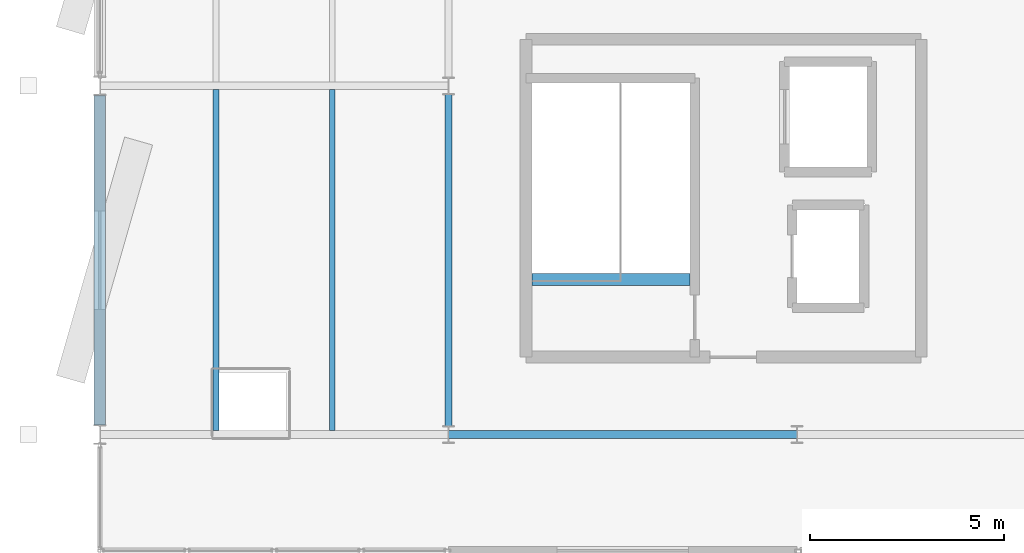
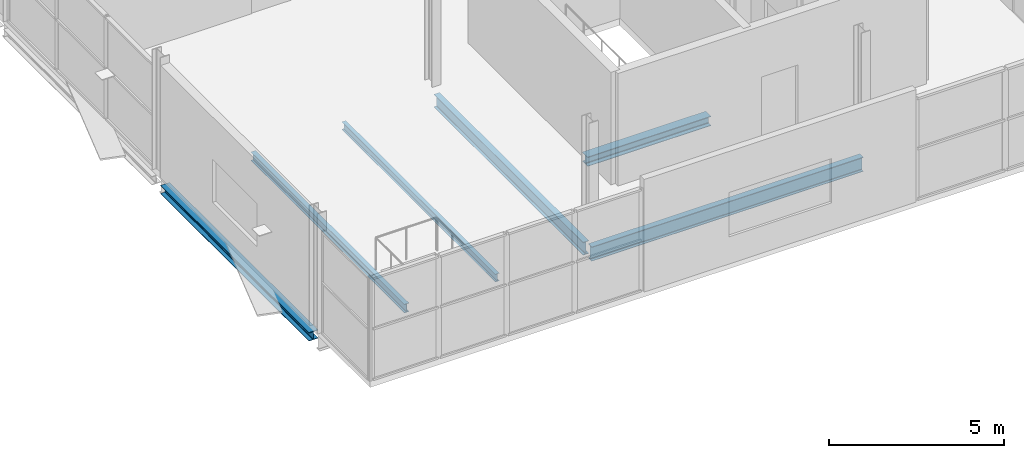
# One storey, part 45 of 132: 6 beams.
"""IFC4 building model written with IfcOpenShell, lengths in metres."""

import ifcopenshell
import ifcopenshell.guid

model = None  # the IFC model being written
_history = None  # IfcOwnerHistory: only IFC2X3 demands one
_inside = {}  # id of a spatial element -> (the spatial element, [elements in it])
_under = {}  # id of a project, library or spatial element -> (it, [spatial elements below it])
_declared = {}  # id of a project -> (the project, [libraries it declares])
_typed = {}  # id of a type object -> (the type object, [elements of that type])
_made_of = {}  # id of a material, layer set ... -> (it, [elements and type objects made of it])


def new_model(schema):
    """Start an empty IFC model of exactly this schema.

    Asked for "IFC4X3", IfcOpenShell would pick the latest addendum, in which some entities
    have other attributes; the version numbers below select the first issue.
    IFC2X3 requires an IfcOwnerHistory on every rooted entity: one is made here for all.
    """
    global model, _history
    if schema == "IFC4X3":
        model = ifcopenshell.file(schema_version=(4, 3, 0, 0))
    else:
        model = ifcopenshell.file(schema=schema)
    _inside.clear()
    _under.clear()
    _declared.clear()
    _typed.clear()
    _made_of.clear()
    _history = None
    if model.schema == "IFC2X3":
        org = make("IfcOrganization", Name="unknown")
        user = make(
            "IfcPersonAndOrganization",
            ThePerson=make("IfcPerson", FamilyName="unknown"),
            TheOrganization=org,
        )
        app = make(
            "IfcApplication",
            ApplicationDeveloper=org,
            Version="unknown",
            ApplicationFullName="unknown",
            ApplicationIdentifier="unknown",
        )
        _history = make(
            "IfcOwnerHistory",
            OwningUser=user,
            OwningApplication=app,
            ChangeAction="ADDED",
            CreationDate=0,
        )
    return model


def make(cls, **values):
    """One entity of the class cls with the attributes given. An attribute that is None is left unset."""
    return model.create_entity(
        cls, **{name: value for name, value in values.items() if value is not None}
    )


def rooted(cls, **values):
    """An entity with a GlobalId (a new one), such as an element, a storey or a relation."""
    return make(cls, GlobalId=ifcopenshell.guid.new(), OwnerHistory=_history, **values)


def si_unit(unit_type, name, prefix=None):
    """IfcSIUnit, for example si_unit("LENGTHUNIT", "METRE", prefix="MILLI")."""
    return make("IfcSIUnit", UnitType=unit_type, Prefix=prefix, Name=name)


def assignment(units):
    """IfcUnitAssignment: the units of a project."""
    return None if units is None else make("IfcUnitAssignment", Units=units)


def point(xyz):
    """IfcCartesianPoint."""
    return None if xyz is None else make("IfcCartesianPoint", Coordinates=xyz)


def direction(xyz):
    """IfcDirection."""
    return None if xyz is None else make("IfcDirection", DirectionRatios=xyz)


def frame(location, z_axis=None, x_axis=None):
    """IfcAxis2Placement3D, a coordinate frame: its origin and axes. An axis left out is left unset."""
    return make(
        "IfcAxis2Placement3D",
        Location=point(location),
        Axis=direction(z_axis),
        RefDirection=direction(x_axis),
    )


def frame_2d(location, x_axis=None):
    """IfcAxis2Placement2D, a coordinate frame in the plane: its origin and x axis."""
    return make(
        "IfcAxis2Placement2D", Location=point(location), RefDirection=direction(x_axis)
    )


def origin():
    """The frame at (0, 0, 0) with its axes left unset."""
    return frame((0.0, 0.0, 0.0))


def origin_2d():
    """The frame at (0, 0) in the plane with its x axis left unset."""
    return frame_2d((0.0, 0.0))


def place(relative_to, where):
    """IfcLocalPlacement: puts the frame where relative to a parent placement (None: the world)."""
    return make(
        "IfcLocalPlacement", PlacementRelTo=relative_to, RelativePlacement=where
    )


def context(
    kind, dimensions, precision=None, world=None, true_north=None, identifier=None
):
    """IfcGeometricRepresentationContext, for example the 3D "Model" context."""
    return make(
        "IfcGeometricRepresentationContext",
        ContextIdentifier=identifier,
        ContextType=kind,
        CoordinateSpaceDimension=dimensions,
        Precision=precision,
        WorldCoordinateSystem=world,
        TrueNorth=true_north,
    )


def subcontext(parent, identifier, kind, view, scale=None):
    """IfcGeometricRepresentationSubContext, for example "Body" below "Model"."""
    return make(
        "IfcGeometricRepresentationSubContext",
        ContextIdentifier=identifier,
        ContextType=kind,
        ParentContext=parent,
        TargetScale=scale,
        TargetView=view,
    )


def project(units=None, contexts=None):
    """IfcProject with its units and contexts."""
    return rooted(
        "IfcProject",
        Name="project",
        RepresentationContexts=contexts,
        UnitsInContext=assignment(units),
    )


def spatial(cls, under=None, at=None, **own):
    """A site, building, storey or space (cls), placed at a placement, below another one or the project."""
    s = rooted(cls, ObjectPlacement=at, **own)
    if under is not None:
        _under.setdefault(under.id(), (under, []))[1].append(s)
    return s


def profile(cls, at=None, kind="AREA", **sizes):
    """A parametric profile (cls). Its sizes go by their IFC names, for example OverallWidth=200.0."""
    return make(cls, ProfileType=kind, Position=at, **sizes)


def i_section(**sizes):
    """IfcIShapeProfileDef."""
    return profile("IfcIShapeProfileDef", **sizes)


def extrude(swept, where, along, depth):
    """IfcExtrudedAreaSolid: the profile swept, set in the frame where, extruded along a direction by depth."""
    return make(
        "IfcExtrudedAreaSolid",
        SweptArea=swept,
        Position=where,
        ExtrudedDirection=direction(along),
        Depth=depth,
    )


def shape(context_of_items, identifier, shape_type, items):
    """IfcShapeRepresentation: the items that make up one representation, for example the "Body"."""
    return make(
        "IfcShapeRepresentation",
        ContextOfItems=context_of_items,
        RepresentationIdentifier=identifier,
        RepresentationType=shape_type,
        Items=items,
    )


def material(Name=None, Category=None):
    """IfcMaterial."""
    return make("IfcMaterial", Name=Name, Category=Category)


def material_profile(
    of_material, cross_section, Name=None, Category=None, Priority=None
):
    """IfcMaterialProfile: a cross section and its material."""
    return make(
        "IfcMaterialProfile",
        Name=Name,
        Material=of_material,
        Profile=cross_section,
        Priority=Priority,
        Category=Category,
    )


def profile_set(profiles, Name=None, composite=None):
    """IfcMaterialProfileSet."""
    return make(
        "IfcMaterialProfileSet",
        Name=Name,
        MaterialProfiles=profiles,
        CompositeProfile=composite,
    )


def made_of(thing, what):
    """Note that an element or type object is made of a material, layer set ...; save() writes the relation."""
    if what is not None:
        _made_of.setdefault(what.id(), (what, []))[1].append(thing)
    return thing


def type_object(cls, material=None, **own):
    """A type object (cls), such as IfcWallType, which elements share."""
    return made_of(rooted(cls, **own), material)


def element(
    cls,
    number,
    at=None,
    inside=None,
    cuts=None,
    type_object=None,
    material=None,
    context=None,
    identifier="Body",
    shape_type=None,
    held_by="IfcProductDefinitionShape",
    body=None,
    shapes=None,
    **own,
):
    """One element of the class cls, such as IfcWall. Its Tag is "e" and its number.

    at: its placement. inside: the storey or other place that contains it. cuts: it is an
    opening in that element (IfcRelVoidsElement). A single representation is given by context,
    identifier, shape_type and body (its items); several are given by shapes. held_by: the class
    of the entity that holds the representations. save() writes the other relations.
    """
    e = rooted(cls, Tag="e%d" % number, ObjectPlacement=at, **own)
    if body is not None:
        shapes = [shape(context, identifier, shape_type, body)]
    if shapes is not None:
        e.Representation = make(held_by, Representations=shapes)
    if inside is not None:
        _inside.setdefault(inside.id(), (inside, []))[1].append(e)
    if cuts is not None:
        rooted(
            "IfcRelVoidsElement", RelatingBuildingElement=cuts, RelatedOpeningElement=e
        )
    if type_object is not None:
        _typed.setdefault(type_object.id(), (type_object, []))[1].append(e)
    return made_of(e, material)


def aggregate(whole, parts):
    """IfcRelAggregates: a whole, such as a stair, and the parts it consists of."""
    return rooted("IfcRelAggregates", RelatingObject=whole, RelatedObjects=parts)


def save(model, path):
    """Write the relations noted so far, then the file.

    IfcRelAggregates (storeys below a building ...), IfcRelContainedInSpatialStructure (elements
    in a storey), IfcRelDefinesByType, IfcRelAssociatesMaterial and IfcRelDeclares: one each for
    every whole, place, type object, material and project.
    """
    for whole, parts in _under.values():
        aggregate(whole, parts)
    for where, things in _inside.values():
        rooted(
            "IfcRelContainedInSpatialStructure",
            RelatedElements=things,
            RelatingStructure=where,
        )
    for kind, things in _typed.values():
        rooted("IfcRelDefinesByType", RelatedObjects=things, RelatingType=kind)
    for what, things in _made_of.values():
        rooted("IfcRelAssociatesMaterial", RelatedObjects=things, RelatingMaterial=what)
    for by, libraries in _declared.values():
        rooted("IfcRelDeclares", RelatingContext=by, RelatedDefinitions=libraries)
    model.write(path)


model = new_model("IFC4")

# Units and contexts
model_context = context("Model", 3, precision=1e-05, world=origin(), true_north=direction((0.0, 1.0)))
body_context = subcontext(model_context, "Body", "Model", "MODEL_VIEW")
ifc_project = project(units=[si_unit("LENGTHUNIT", "METRE"), si_unit("AREAUNIT", "SQUARE_METRE"), si_unit("VOLUMEUNIT", "CUBIC_METRE"), si_unit("PLANEANGLEUNIT", "RADIAN"), si_unit("MASSUNIT", "GRAM", prefix="KILO")], contexts=[model_context])

# Site, building, storey
site_placement = place(None, origin())
site = spatial("IfcSite", under=ifc_project, at=site_placement, CompositionType="ELEMENT")
building_placement = place(site_placement, origin())
building = spatial("IfcBuilding", under=site, at=building_placement, Name="Deido Ridge Mobility Hub", CompositionType="ELEMENT")
storey_placement = place(building_placement, frame((0.0, 0.0, 8.39990234375)))
storey = spatial("IfcBuildingStorey", under=building, at=storey_placement, Name="L02", CompositionType="ELEMENT", Elevation=8.39990234375)

# Beams
ifc_material = material(Name="Steel S355J2 EN 10025-2", Category="steel")
ifc_material_profile_1 = material_profile(ifc_material, i_section(OverallWidth=0.300048828125, OverallDepth=0.330078125, WebThickness=0.009521484375, FlangeThickness=0.0166015625, FilletRadius=0.027099609375, at=origin_2d()), Name="HEA 340")
ifc_profile_set_1 = profile_set([ifc_material_profile_1], Name="Steel S355J2 EN 10025-2")
beam_type_1 = type_object("IfcBeamType", Name="BM-HEA340", PredefinedType="BEAM", material=ifc_profile_set_1)
beam_1_placement = place(storey_placement, frame((11.14990234375, 58.0, -0.419921875), z_axis=(1.0, 0.0, 0.0), x_axis=(0.0, 1.0, 0.0)))
element("IfcBeam", 1, at=beam_1_placement, inside=storey, type_object=beam_type_1, Name="C6 stair landing trimmer beam B6", PredefinedType="BEAM", context=body_context, shape_type="SweptSolid", body=[
    extrude(i_section(OverallWidth=0.300048828125, OverallDepth=0.330078125, WebThickness=0.009521484375, FlangeThickness=0.0166015625, FilletRadius=0.027099609375, at=origin_2d()), origin(), (0.0, 0.0, 1.0), 4.085205078125),
])
ifc_material_profile_2 = material_profile(ifc_material, i_section(OverallWidth=0.18994140625, OverallDepth=0.449951171875, WebThickness=0.009521484375, FlangeThickness=0.0146484375, FilletRadius=0.02099609375, at=origin_2d()), Name="IPE 450")
ifc_profile_set_2 = profile_set([ifc_material_profile_2], Name="Steel S355J2 EN 10025-2")
beam_type_2 = type_object("IfcBeamType", Name="BM-IPE450", PredefinedType="BEAM", material=ifc_profile_set_2)
beam_2_placement = place(storey_placement, frame((9.0, 54.22509765625, -0.47998046875), z_axis=(0.0, 1.0, 0.0), x_axis=(-1.0, 0.0, 0.0)))
element("IfcBeam", 2, at=beam_2_placement, inside=storey, type_object=beam_type_2, Name="Floor beam B4", PredefinedType="BEAM", context=body_context, shape_type="SweptSolid", body=[
    extrude(i_section(OverallWidth=0.18994140625, OverallDepth=0.449951171875, WebThickness=0.009521484375, FlangeThickness=0.0146484375, FilletRadius=0.02099609375, at=origin_2d()), origin(), (0.0, 0.0, 1.0), 8.5498046875),
])
ifc_material_profile_3 = material_profile(ifc_material, i_section(OverallWidth=0.199951171875, OverallDepth=0.5, WebThickness=0.01025390625, FlangeThickness=0.01611328125, FilletRadius=0.02099609375, at=origin_2d()), Name="IPE 500")
ifc_profile_set_3 = profile_set([ifc_material_profile_3], Name="Steel S355J2 EN 10025-2")
beam_type_3 = type_object("IfcBeamType", Name="BM-IPE500", PredefinedType="BEAM", material=ifc_profile_set_3)
beam_3_placement = place(storey_placement, frame((9.007080078125, 54.0, -0.5048828125), z_axis=(1.0, 0.0, 0.0), x_axis=(0.0, 1.0, 0.0)))
element("IfcBeam", 3, at=beam_3_placement, inside=storey, type_object=beam_type_3, Name="Floor beam B3", PredefinedType="BEAM", context=body_context, shape_type="SweptSolid", body=[
    extrude(i_section(OverallWidth=0.199951171875, OverallDepth=0.5, WebThickness=0.01025390625, FlangeThickness=0.01611328125, FilletRadius=0.02099609375, at=origin_2d()), origin(), (0.0, 0.0, 1.0), 8.98583984375),
])
ifc_material_profile_4 = material_profile(ifc_material, i_section(OverallWidth=0.135009765625, OverallDepth=0.27001953125, WebThickness=0.006591796875, FlangeThickness=0.01025390625, FilletRadius=0.014892578125, at=origin_2d()), Name="IPE 270")
ifc_profile_set_4 = profile_set([ifc_material_profile_4], Name="Steel S355J2 EN 10025-2")
beam_type_4 = type_object("IfcBeamType", Name="JST-IPE270", PredefinedType="JOIST", material=ifc_profile_set_4)
beam_4_placement = place(storey_placement, frame((6.0, 54.10009765625, -0.389892578125), z_axis=(0.0, 1.0, 0.0), x_axis=(-1.0, 0.0, 0.0)))
element("IfcBeam", 4, at=beam_4_placement, inside=storey, type_object=beam_type_4, Name="Composite joist J4", PredefinedType="JOIST", context=body_context, shape_type="SweptSolid", body=[
    extrude(i_section(OverallWidth=0.135009765625, OverallDepth=0.27001953125, WebThickness=0.006591796875, FlangeThickness=0.01025390625, FilletRadius=0.014892578125, at=origin_2d()), origin(), (0.0, 0.0, 1.0), 8.7998046875),
])
ifc_material_profile_5 = material_profile(ifc_material, i_section(OverallWidth=0.14990234375, OverallDepth=0.300048828125, WebThickness=0.007080078125, FlangeThickness=0.0107421875, FilletRadius=0.014892578125, at=origin_2d()), Name="IPE 300")
ifc_profile_set_5 = profile_set([ifc_material_profile_5], Name="Steel S355J2 EN 10025-2")
beam_type_5 = type_object("IfcBeamType", Name="JST-IPE300", PredefinedType="JOIST", material=ifc_profile_set_5)
beam_5_placement = place(storey_placement, frame((3.0, 54.10009765625, -0.40478515625), z_axis=(0.0, 1.0, 0.0), x_axis=(-1.0, 0.0, 0.0)))
element("IfcBeam", 5, at=beam_5_placement, inside=storey, type_object=beam_type_5, Name="Composite joist J3", PredefinedType="JOIST", context=body_context, shape_type="SweptSolid", body=[
    extrude(i_section(OverallWidth=0.14990234375, OverallDepth=0.300048828125, WebThickness=0.007080078125, FlangeThickness=0.0107421875, FilletRadius=0.014892578125, at=origin_2d()), origin(), (0.0, 0.0, 1.0), 8.7998046875),
])
ifc_material_profile_6 = material_profile(ifc_material, i_section(OverallWidth=0.300048828125, OverallDepth=0.300048828125, WebThickness=0.010986328125, FlangeThickness=0.01904296875, FilletRadius=0.027099609375, at=origin_2d()), Name="HEB 300")
ifc_profile_set_6 = profile_set([ifc_material_profile_6], Name="Steel S355J2 EN 10025-2")
beam_type_6 = type_object("IfcBeamType", Name="SPD-HEB300", PredefinedType="SPANDREL", material=ifc_profile_set_6)
beam_6_placement = place(storey_placement, frame((0.0, 54.25, -0.40478515625), z_axis=(0.0, 1.0, 0.0), x_axis=(-1.0, 0.0, 0.0)))
element("IfcBeam", 6, at=beam_6_placement, inside=storey, type_object=beam_type_6, Name="Floor beam SP1", PredefinedType="SPANDREL", context=body_context, shape_type="SweptSolid", body=[
    extrude(i_section(OverallWidth=0.300048828125, OverallDepth=0.300048828125, WebThickness=0.010986328125, FlangeThickness=0.01904296875, FilletRadius=0.027099609375, at=origin_2d()), origin(), (0.0, 0.0, 1.0), 8.5),
])

save(model, "model.ifc")
